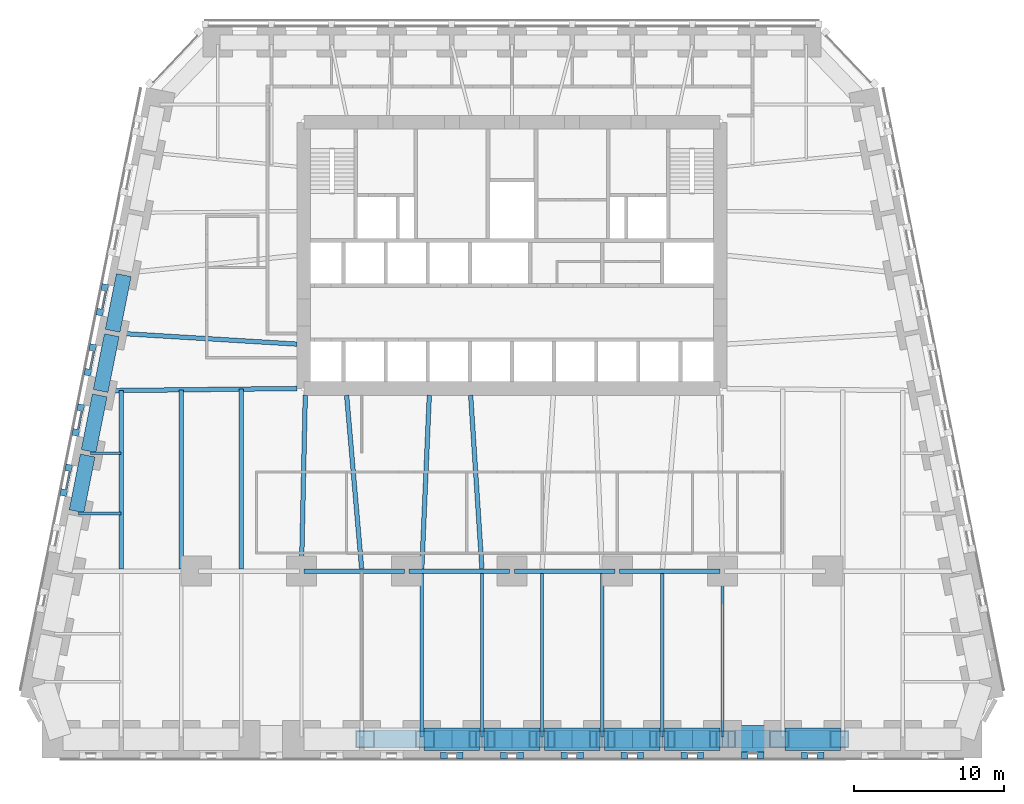
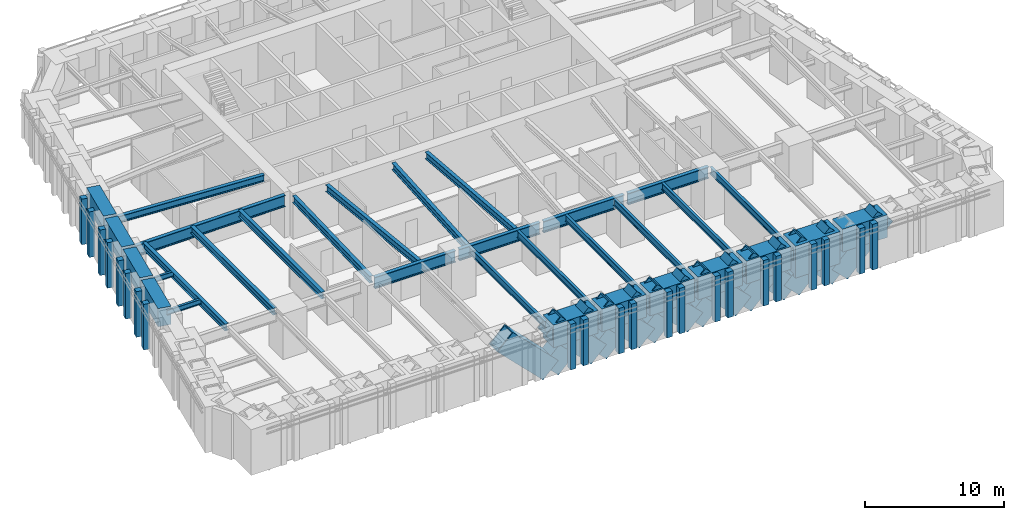
# One storey, part 2 of 16: 40 members, 32 beams, 11 elements without a shape of their own.
"""IFC4 building model written with IfcOpenShell, lengths in metres."""

from ifc_helpers import new_model, si_unit, direction, frame, origin, origin_2d, place, context, subcontext, project, spatial, rectangle, hollow_rectangle, i_section, extrude, material, material_profile, profile_set, type_object, element, aggregate, save


model = new_model("IFC4")

# Units and contexts
model_context = context("Model", 3, precision=1e-05, world=origin(), true_north=direction((0.0, 1.0)))
body_context = subcontext(model_context, "Body", "Model", "MODEL_VIEW")
ifc_project = project(units=[si_unit("LENGTHUNIT", "METRE"), si_unit("AREAUNIT", "SQUARE_METRE"), si_unit("VOLUMEUNIT", "CUBIC_METRE"), si_unit("PLANEANGLEUNIT", "RADIAN"), si_unit("MASSUNIT", "GRAM", prefix="KILO")], contexts=[model_context])

# Site, building, storey
site_placement = place(None, origin())
site = spatial("IfcSite", under=ifc_project, at=site_placement, CompositionType="ELEMENT")
building_placement = place(site_placement, origin())
building = spatial("IfcBuilding", under=site, at=building_placement, Name="Isbrekke Arena Tower", CompositionType="ELEMENT")
storey_placement = place(building_placement, frame((0.0, 0.0, 32.0)))
storey = spatial("IfcBuildingStorey", under=building, at=storey_placement, Name="L05", CompositionType="ELEMENT", Elevation=32.0)

# Beams
ifc_material_1 = material(Name="Steel S355", Category="steel")
ifc_material_profile_1 = material_profile(ifc_material_1, i_section(OverallWidth=0.219970703125, OverallDepth=0.60009765625, WebThickness=0.011962890625, FlangeThickness=0.01904296875, FilletRadius=0.02392578125, at=origin_2d()), Name="IPE 600")
ifc_profile_set_1 = profile_set([ifc_material_profile_1], Name="Steel S355")
beam_type_1 = type_object("IfcBeamType", Name="B1 IPE 600", PredefinedType="BEAM", material=ifc_profile_set_1)
for number, where, z_axis, x_axis, name in (
    (1, (-6.0, -17.02490234375, 3.550048828125), (0.0, 1.0, 0.0), (-1.0, 0.0, 0.0), "B1 beam S-S07 L05"),
    (2, (-2.0, -17.02490234375, 3.550048828125), (0.0, 1.0, 0.0), (-1.0, 0.0, 0.0), "B1 beam S-S08 L05"),
    (3, (2.0, -17.02490234375, 3.550048828125), (0.0, 1.0, 0.0), (-1.0, 0.0, 0.0), "B1 beam S-S09 L05"),
    (4, (6.0, -17.02490234375, 3.550048828125), (0.0, 1.0, 0.0), (-1.0, 0.0, 0.0), "B1 beam S-S10 L05"),
    (5, (10.0, -17.02490234375, 3.550048828125), (0.0, 1.0, 0.0), (-1.0, 0.0, 0.0), "B1 beam S-S11 L05"),
):
    element("IfcBeam", number, at=place(storey_placement, frame(where, z_axis=z_axis, x_axis=x_axis)), inside=storey, type_object=beam_type_1, Name=name, PredefinedType="BEAM", context=body_context, shape_type="SweptSolid", body=[
        extrude(i_section(OverallWidth=0.219970703125, OverallDepth=0.60009765625, WebThickness=0.011962890625, FlangeThickness=0.01904296875, FilletRadius=0.02392578125, at=origin_2d()), origin(), (0.0, 0.0, 1.0), 10.8740234375),
    ])
beam_1_placement = place(storey_placement, frame((14.0, -17.02490234375, 3.550048828125), z_axis=(0.0, 1.0, 0.0), x_axis=(-1.0, 0.0, 0.0)))
element("IfcBeam", 6, at=beam_1_placement, inside=storey, type_object=beam_type_1, Name="B1 beam S-S12 L05", PredefinedType="BEAM", context=body_context, shape_type="SweptSolid", body=[
    extrude(i_section(OverallWidth=0.219970703125, OverallDepth=0.60009765625, WebThickness=0.011962890625, FlangeThickness=0.01904296875, FilletRadius=0.02392578125, at=origin_2d()), origin(), (0.0, 0.0, 1.0), 10.875),
])
ifc_material_2 = material(Name="Steel S355", Category="steel")
ifc_material_profile_2 = material_profile(ifc_material_2, i_section(OverallWidth=0.18994140625, OverallDepth=0.449951171875, WebThickness=0.009521484375, FlangeThickness=0.0146484375, FilletRadius=0.02099609375, at=origin_2d()), Name="IPE 450")
ifc_profile_set_2 = profile_set([ifc_material_profile_2], Name="Steel S355")
beam_type_2 = type_object("IfcBeamType", Name="B2 IPE 450", PredefinedType="BEAM", material=ifc_profile_set_2)
beam_2_placement = place(storey_placement, frame((-28.041015625, 1.838134765625, 3.625), z_axis=(1.0, 0.0, 0.0), x_axis=(0.0, 1.0, 0.0)))
element("IfcBeam", 7, at=beam_2_placement, inside=storey, type_object=beam_type_2, Name="B2 beam E-W07 L05", PredefinedType="BEAM", context=body_context, shape_type="SweptSolid", body=[
    extrude(i_section(OverallWidth=0.18994140625, OverallDepth=0.449951171875, WebThickness=0.009521484375, FlangeThickness=0.0146484375, FilletRadius=0.02099609375, at=origin_2d()), origin(), (0.0, 0.0, 1.0), 2.041015625),
])
beam_3_placement = place(storey_placement, frame((-28.841064453125, -2.161865234375, 3.625), z_axis=(1.0, 0.0, 0.0), x_axis=(0.0, 1.0, 0.0)))
element("IfcBeam", 8, at=beam_3_placement, inside=storey, type_object=beam_type_2, Name="B2 beam E-W08 L05", PredefinedType="BEAM", context=body_context, shape_type="SweptSolid", body=[
    extrude(i_section(OverallWidth=0.18994140625, OverallDepth=0.449951171875, WebThickness=0.009521484375, FlangeThickness=0.0146484375, FilletRadius=0.02099609375, at=origin_2d()), origin(), (0.0, 0.0, 1.0), 2.841064453125),
])
ifc_material_3 = material(Name="Steel S355", Category="steel")
ifc_material_profile_3 = material_profile(ifc_material_3, i_section(OverallWidth=0.300048828125, OverallDepth=0.60009765625, WebThickness=0.015380859375, FlangeThickness=0.030029296875, FilletRadius=0.027099609375, at=origin_2d()), Name="HEB 600")
ifc_profile_set_3 = profile_set([ifc_material_profile_3], Name="Steel S355")
beam_type_3 = type_object("IfcBeamType", Name="B7 HEB 600", PredefinedType="BEAM", material=ifc_profile_set_3)
beam_4_placement = place(storey_placement, frame((-26.0, -5.84912109375, 3.550048828125), z_axis=(0.0, 1.0, 0.0), x_axis=(-1.0, 0.0, 0.0)))
element("IfcBeam", 9, at=beam_4_placement, inside=storey, type_object=beam_type_3, Name="B7 beam C-M01 L05", PredefinedType="BEAM", context=body_context, shape_type="SweptSolid", body=[
    extrude(i_section(OverallWidth=0.300048828125, OverallDepth=0.60009765625, WebThickness=0.015380859375, FlangeThickness=0.030029296875, FilletRadius=0.027099609375, at=origin_2d()), origin(), (0.0, 0.0, 1.0), 11.864990234375),
])
beam_5_placement = place(storey_placement, frame((-22.0, -5.84912109375, 3.550048828125), z_axis=(0.0, 1.0, 0.0), x_axis=(-1.0, 0.0, 0.0)))
element("IfcBeam", 10, at=beam_5_placement, inside=storey, type_object=beam_type_3, Name="B7 beam C-M02 L05", PredefinedType="BEAM", context=body_context, shape_type="SweptSolid", body=[
    extrude(i_section(OverallWidth=0.300048828125, OverallDepth=0.60009765625, WebThickness=0.015380859375, FlangeThickness=0.030029296875, FilletRadius=0.027099609375, at=origin_2d()), origin(), (0.0, 0.0, 1.0), 11.910888671875),
])
beam_6_placement = place(storey_placement, frame((-18.0, -5.84912109375, 3.550048828125), z_axis=(0.0, 1.0, 0.0), x_axis=(-1.0, 0.0, 0.0)))
element("IfcBeam", 11, at=beam_6_placement, inside=storey, type_object=beam_type_3, Name="B7 beam C-M03 L05", PredefinedType="BEAM", context=body_context, shape_type="SweptSolid", body=[
    extrude(i_section(OverallWidth=0.300048828125, OverallDepth=0.60009765625, WebThickness=0.015380859375, FlangeThickness=0.030029296875, FilletRadius=0.027099609375, at=origin_2d()), origin(), (0.0, 0.0, 1.0), 11.956787109375),
])
beam_7_placement = place(storey_placement, frame((-14.0, -5.8466796875, 3.550048828125), z_axis=(0.021646264273, 0.999765692171, 0.0), x_axis=(-0.999765692171, 0.021646264273, 0.0)))
element("IfcBeam", 12, at=beam_7_placement, inside=storey, type_object=beam_type_3, Name="B7 beam C-M04 L05", PredefinedType="BEAM", context=body_context, shape_type="SweptSolid", body=[
    extrude(i_section(OverallWidth=0.300048828125, OverallDepth=0.60009765625, WebThickness=0.015380859375, FlangeThickness=0.030029296875, FilletRadius=0.027099609375, at=origin_2d()), origin(), (0.0, 0.0, 1.0), 11.54931640625),
])
beam_8_placement = place(storey_placement, frame((-10.001220703125, -5.836181640625, 3.550048828125), z_axis=(-0.086255671377, 0.996273034442, 0.0), x_axis=(-0.996273034442, -0.086255671377, 0.0)))
element("IfcBeam", 13, at=beam_8_placement, inside=storey, type_object=beam_type_3, Name="B7 beam C-M05 L05", PredefinedType="BEAM", context=body_context, shape_type="SweptSolid", body=[
    extrude(i_section(OverallWidth=0.300048828125, OverallDepth=0.60009765625, WebThickness=0.015380859375, FlangeThickness=0.030029296875, FilletRadius=0.027099609375, at=origin_2d()), origin(), (0.0, 0.0, 1.0), 11.579345703125),
])
beam_9_placement = place(storey_placement, frame((-5.999755859375, -5.842529296875, 3.550048828125), z_axis=(0.04325656756, 0.99906399663, 0.0), x_axis=(-0.99906399663, 0.04325656756, 0.0)))
element("IfcBeam", 14, at=beam_9_placement, inside=storey, type_object=beam_type_3, Name="B7 beam C-M06 L05", PredefinedType="BEAM", context=body_context, shape_type="SweptSolid", body=[
    extrude(i_section(OverallWidth=0.300048828125, OverallDepth=0.60009765625, WebThickness=0.015380859375, FlangeThickness=0.030029296875, FilletRadius=0.027099609375, at=origin_2d()), origin(), (0.0, 0.0, 1.0), 11.55322265625),
])
beam_10_placement = place(storey_placement, frame((-2.000732421875, -5.83935546875, 3.550048828125), z_axis=(-0.064795318476, 0.997898575359, 0.0), x_axis=(-0.997898575359, -0.064795318476, 0.0)))
element("IfcBeam", 15, at=beam_10_placement, inside=storey, type_object=beam_type_3, Name="B7 beam C-M07 L05", PredefinedType="BEAM", context=body_context, shape_type="SweptSolid", body=[
    extrude(i_section(OverallWidth=0.300048828125, OverallDepth=0.60009765625, WebThickness=0.015380859375, FlangeThickness=0.030029296875, FilletRadius=0.027099609375, at=origin_2d()), origin(), (0.0, 0.0, 1.0), 11.563720703125),
])
beam_11_placement = place(storey_placement, frame((-26.431884765625, 9.837646484375, 3.550048828125), z_axis=(0.998157121592, -0.060682457223, 0.0), x_axis=(0.060682457223, 0.998157121592, 0.0)))
element("IfcBeam", 16, at=beam_11_placement, inside=storey, type_object=beam_type_3, Name="B7 beam E-W05 L05", PredefinedType="BEAM", context=body_context, shape_type="SweptSolid", body=[
    extrude(i_section(OverallWidth=0.300048828125, OverallDepth=0.60009765625, WebThickness=0.015380859375, FlangeThickness=0.030029296875, FilletRadius=0.027099609375, at=origin_2d()), origin(), (0.0, 0.0, 1.0), 12.154296875),
])

# Curtain wall, members
ifc_material_4 = material(Name="Glazed aluminium curtain wall", Category="aluminium")
curtain_wall_type = type_object("IfcCurtainWallType", Name="CWL TOWER CURTAIN WALL LOW ZONE", PredefinedType="USERDEFINED", material=ifc_material_4)
curtain_wall_1_placement = place(storey_placement, origin())
curtain_wall_1 = element("IfcCurtainWall", 17, at=curtain_wall_1_placement, inside=storey, type_object=curtain_wall_type, Name="CWL curtain wall L05-S13", ObjectType="TOWER CURTAIN WALL LOW ZONE", PredefinedType="USERDEFINED")
ifc_material_5 = material(Name="Aluminium mullion, pale brick slip cladding", Category="masonry")
ifc_material_profile_4 = material_profile(ifc_material_5, rectangle(XDim=0.449951171875, YDim=0.449951171875, at=origin_2d()), Name="PIER 450X450")
ifc_profile_set_4 = profile_set([ifc_material_profile_4], Name="Aluminium mullion, pale brick slip cladding")
member_type_1 = type_object("IfcMemberType", Name="CWL-M PIER MULLION 450 x 450", PredefinedType="MULLION", material=ifc_profile_set_4)
member_1_placement = place(storey_placement, frame((-4.52490234375, -18.25, 0.0), z_axis=(0.0, 0.0, 1.0), x_axis=(1.0, 0.0, 0.0)))
member_1 = element("IfcMember", 18, at=member_1_placement, type_object=member_type_1, Name="CWL-M mullion 1", PredefinedType="MULLION", context=body_context, shape_type="SweptSolid", body=[
    extrude(rectangle(XDim=0.449951171875, YDim=0.449951171875, at=origin_2d()), origin(), (0.0, 0.0, 1.0), 4.0),
])
member_2_placement = place(storey_placement, frame((-3.47509765625, -18.25, 0.0), z_axis=(0.0, 0.0, 1.0), x_axis=(1.0, 0.0, 0.0)))
member_2 = element("IfcMember", 19, at=member_2_placement, type_object=member_type_1, Name="CWL-M mullion 2", PredefinedType="MULLION", context=body_context, shape_type="SweptSolid", body=[
    extrude(rectangle(XDim=0.449951171875, YDim=0.449951171875, at=origin_2d()), origin(), (0.0, 0.0, 1.0), 4.0),
])
aggregate(curtain_wall_1, [member_1, member_2])

curtain_wall_2_placement = place(storey_placement, origin())
curtain_wall_2 = element("IfcCurtainWall", 20, at=curtain_wall_2_placement, inside=storey, type_object=curtain_wall_type, Name="CWL curtain wall L05-S15", ObjectType="TOWER CURTAIN WALL LOW ZONE", PredefinedType="USERDEFINED")
member_3_placement = place(storey_placement, frame((-0.52490234375, -18.25, 0.0), z_axis=(0.0, 0.0, 1.0), x_axis=(1.0, 0.0, 0.0)))
member_3 = element("IfcMember", 21, at=member_3_placement, type_object=member_type_1, Name="CWL-M mullion 1", PredefinedType="MULLION", context=body_context, shape_type="SweptSolid", body=[
    extrude(rectangle(XDim=0.449951171875, YDim=0.449951171875, at=origin_2d()), origin(), (0.0, 0.0, 1.0), 4.0),
])
member_4_placement = place(storey_placement, frame((0.52490234375, -18.25, 0.0), z_axis=(0.0, 0.0, 1.0), x_axis=(1.0, 0.0, 0.0)))
member_4 = element("IfcMember", 22, at=member_4_placement, type_object=member_type_1, Name="CWL-M mullion 2", PredefinedType="MULLION", context=body_context, shape_type="SweptSolid", body=[
    extrude(rectangle(XDim=0.449951171875, YDim=0.449951171875, at=origin_2d()), origin(), (0.0, 0.0, 1.0), 4.0),
])
aggregate(curtain_wall_2, [member_3, member_4])

curtain_wall_3_placement = place(storey_placement, origin())
curtain_wall_3 = element("IfcCurtainWall", 23, at=curtain_wall_3_placement, inside=storey, type_object=curtain_wall_type, Name="CWL curtain wall L05-S17", ObjectType="TOWER CURTAIN WALL LOW ZONE", PredefinedType="USERDEFINED")
member_5_placement = place(storey_placement, frame((3.47509765625, -18.25, 0.0), z_axis=(0.0, 0.0, 1.0), x_axis=(1.0, 0.0, 0.0)))
member_5 = element("IfcMember", 24, at=member_5_placement, type_object=member_type_1, Name="CWL-M mullion 1", PredefinedType="MULLION", context=body_context, shape_type="SweptSolid", body=[
    extrude(rectangle(XDim=0.449951171875, YDim=0.449951171875, at=origin_2d()), origin(), (0.0, 0.0, 1.0), 4.0),
])
member_6_placement = place(storey_placement, frame((4.52490234375, -18.25, 0.0), z_axis=(0.0, 0.0, 1.0), x_axis=(1.0, 0.0, 0.0)))
member_6 = element("IfcMember", 25, at=member_6_placement, type_object=member_type_1, Name="CWL-M mullion 2", PredefinedType="MULLION", context=body_context, shape_type="SweptSolid", body=[
    extrude(rectangle(XDim=0.449951171875, YDim=0.449951171875, at=origin_2d()), origin(), (0.0, 0.0, 1.0), 4.0),
])
aggregate(curtain_wall_3, [member_5, member_6])

curtain_wall_4_placement = place(storey_placement, origin())
curtain_wall_4 = element("IfcCurtainWall", 26, at=curtain_wall_4_placement, inside=storey, type_object=curtain_wall_type, Name="CWL curtain wall L05-S19", ObjectType="TOWER CURTAIN WALL LOW ZONE", PredefinedType="USERDEFINED")
member_7_placement = place(storey_placement, frame((7.47509765625, -18.25, 0.0), z_axis=(0.0, 0.0, 1.0), x_axis=(1.0, 0.0, 0.0)))
member_7 = element("IfcMember", 27, at=member_7_placement, type_object=member_type_1, Name="CWL-M mullion 1", PredefinedType="MULLION", context=body_context, shape_type="SweptSolid", body=[
    extrude(rectangle(XDim=0.449951171875, YDim=0.449951171875, at=origin_2d()), origin(), (0.0, 0.0, 1.0), 4.0),
])
member_8_placement = place(storey_placement, frame((8.52490234375, -18.25, 0.0), z_axis=(0.0, 0.0, 1.0), x_axis=(1.0, 0.0, 0.0)))
member_8 = element("IfcMember", 28, at=member_8_placement, type_object=member_type_1, Name="CWL-M mullion 2", PredefinedType="MULLION", context=body_context, shape_type="SweptSolid", body=[
    extrude(rectangle(XDim=0.449951171875, YDim=0.449951171875, at=origin_2d()), origin(), (0.0, 0.0, 1.0), 4.0),
])
aggregate(curtain_wall_4, [member_7, member_8])

curtain_wall_5_placement = place(storey_placement, origin())
curtain_wall_5 = element("IfcCurtainWall", 29, at=curtain_wall_5_placement, inside=storey, type_object=curtain_wall_type, Name="CWL curtain wall L05-S21", ObjectType="TOWER CURTAIN WALL LOW ZONE", PredefinedType="USERDEFINED")
member_9_placement = place(storey_placement, frame((11.47509765625, -18.25, 0.0), z_axis=(0.0, 0.0, 1.0), x_axis=(1.0, 0.0, 0.0)))
member_9 = element("IfcMember", 30, at=member_9_placement, type_object=member_type_1, Name="CWL-M mullion 1", PredefinedType="MULLION", context=body_context, shape_type="SweptSolid", body=[
    extrude(rectangle(XDim=0.449951171875, YDim=0.449951171875, at=origin_2d()), origin(), (0.0, 0.0, 1.0), 4.0),
])
member_10_placement = place(storey_placement, frame((12.52490234375, -18.25, 0.0), z_axis=(0.0, 0.0, 1.0), x_axis=(1.0, 0.0, 0.0)))
member_10 = element("IfcMember", 31, at=member_10_placement, type_object=member_type_1, Name="CWL-M mullion 2", PredefinedType="MULLION", context=body_context, shape_type="SweptSolid", body=[
    extrude(rectangle(XDim=0.449951171875, YDim=0.449951171875, at=origin_2d()), origin(), (0.0, 0.0, 1.0), 4.0),
])
aggregate(curtain_wall_5, [member_9, member_10])

curtain_wall_6_placement = place(storey_placement, origin())
curtain_wall_6 = element("IfcCurtainWall", 32, at=curtain_wall_6_placement, inside=storey, type_object=curtain_wall_type, Name="CWL curtain wall L05-S23", ObjectType="TOWER CURTAIN WALL LOW ZONE", PredefinedType="USERDEFINED")
member_11_placement = place(storey_placement, frame((15.47509765625, -18.25, 0.0), z_axis=(0.0, 0.0, 1.0), x_axis=(1.0, 0.0, 0.0)))
member_11 = element("IfcMember", 33, at=member_11_placement, type_object=member_type_1, Name="CWL-M mullion 1", PredefinedType="MULLION", context=body_context, shape_type="SweptSolid", body=[
    extrude(rectangle(XDim=0.449951171875, YDim=0.449951171875, at=origin_2d()), origin(), (0.0, 0.0, 1.0), 4.0),
])
member_12_placement = place(storey_placement, frame((16.52490234375, -18.25, 0.0), z_axis=(0.0, 0.0, 1.0), x_axis=(1.0, 0.0, 0.0)))
member_12 = element("IfcMember", 34, at=member_12_placement, type_object=member_type_1, Name="CWL-M mullion 2", PredefinedType="MULLION", context=body_context, shape_type="SweptSolid", body=[
    extrude(rectangle(XDim=0.449951171875, YDim=0.449951171875, at=origin_2d()), origin(), (0.0, 0.0, 1.0), 4.0),
])
aggregate(curtain_wall_6, [member_11, member_12])

curtain_wall_7_placement = place(storey_placement, origin())
curtain_wall_7 = element("IfcCurtainWall", 35, at=curtain_wall_7_placement, inside=storey, type_object=curtain_wall_type, Name="CWL curtain wall L05-S25", ObjectType="TOWER CURTAIN WALL LOW ZONE", PredefinedType="USERDEFINED")
member_13_placement = place(storey_placement, frame((19.47509765625, -18.25, 0.0), z_axis=(0.0, 0.0, 1.0), x_axis=(1.0, 0.0, 0.0)))
member_13 = element("IfcMember", 36, at=member_13_placement, type_object=member_type_1, Name="CWL-M mullion 1", PredefinedType="MULLION", context=body_context, shape_type="SweptSolid", body=[
    extrude(rectangle(XDim=0.449951171875, YDim=0.449951171875, at=origin_2d()), origin(), (0.0, 0.0, 1.0), 4.0),
])
member_14_placement = place(storey_placement, frame((20.52490234375, -18.25, 0.0), z_axis=(0.0, 0.0, 1.0), x_axis=(1.0, 0.0, 0.0)))
member_14 = element("IfcMember", 37, at=member_14_placement, type_object=member_type_1, Name="CWL-M mullion 2", PredefinedType="MULLION", context=body_context, shape_type="SweptSolid", body=[
    extrude(rectangle(XDim=0.449951171875, YDim=0.449951171875, at=origin_2d()), origin(), (0.0, 0.0, 1.0), 4.0),
])
aggregate(curtain_wall_7, [member_13, member_14])

curtain_wall_8_placement = place(storey_placement, origin())
curtain_wall_8 = element("IfcCurtainWall", 38, at=curtain_wall_8_placement, inside=storey, type_object=curtain_wall_type, Name="CWL curtain wall L05-W7", ObjectType="TOWER CURTAIN WALL LOW ZONE", PredefinedType="USERDEFINED")
member_15_placement = place(storey_placement, frame((-27.08056640625, 12.872314453125, 0.0), z_axis=(0.0, 0.0, 1.0), x_axis=(-0.196116135138, -0.980580675691, 0.0)))
member_15 = element("IfcMember", 39, at=member_15_placement, type_object=member_type_1, Name="CWL-M mullion 1", PredefinedType="MULLION", context=body_context, shape_type="SweptSolid", body=[
    extrude(rectangle(XDim=0.449951171875, YDim=0.449951171875, at=origin_2d()), origin(), (0.0, 0.0, 1.0), 4.0),
])
member_16_placement = place(storey_placement, frame((-27.409912109375, 11.225830078125, 0.0), z_axis=(0.0, 0.0, 1.0), x_axis=(-0.196116135138, -0.980580675691, 0.0)))
member_16 = element("IfcMember", 40, at=member_16_placement, type_object=member_type_1, Name="CWL-M mullion 2", PredefinedType="MULLION", context=body_context, shape_type="SweptSolid", body=[
    extrude(rectangle(XDim=0.449951171875, YDim=0.449951171875, at=origin_2d()), origin(), (0.0, 0.0, 1.0), 4.0),
])

curtain_wall_9_placement = place(storey_placement, origin())
curtain_wall_9 = element("IfcCurtainWall", 41, at=curtain_wall_9_placement, inside=storey, type_object=curtain_wall_type, Name="CWL curtain wall L05-W9", ObjectType="TOWER CURTAIN WALL LOW ZONE", PredefinedType="USERDEFINED")
member_17_placement = place(storey_placement, frame((-27.88037109375, 8.872314453125, 0.0), z_axis=(0.0, 0.0, 1.0), x_axis=(-0.196116135138, -0.980580675691, 0.0)))
member_17 = element("IfcMember", 42, at=member_17_placement, type_object=member_type_1, Name="CWL-M mullion 1", PredefinedType="MULLION", context=body_context, shape_type="SweptSolid", body=[
    extrude(rectangle(XDim=0.449951171875, YDim=0.449951171875, at=origin_2d()), origin(), (0.0, 0.0, 1.0), 4.0),
])
member_18_placement = place(storey_placement, frame((-28.209716796875, 7.225830078125, 0.0), z_axis=(0.0, 0.0, 1.0), x_axis=(-0.196116135138, -0.980580675691, 0.0)))
member_18 = element("IfcMember", 43, at=member_18_placement, type_object=member_type_1, Name="CWL-M mullion 2", PredefinedType="MULLION", context=body_context, shape_type="SweptSolid", body=[
    extrude(rectangle(XDim=0.449951171875, YDim=0.449951171875, at=origin_2d()), origin(), (0.0, 0.0, 1.0), 4.0),
])

curtain_wall_10_placement = place(storey_placement, origin())
curtain_wall_10 = element("IfcCurtainWall", 44, at=curtain_wall_10_placement, inside=storey, type_object=curtain_wall_type, Name="CWL curtain wall L05-W11", ObjectType="TOWER CURTAIN WALL LOW ZONE", PredefinedType="USERDEFINED")
member_19_placement = place(storey_placement, frame((-28.680419921875, 4.872314453125, 0.0), z_axis=(0.0, 0.0, 1.0), x_axis=(-0.196116135138, -0.980580675691, 0.0)))
member_19 = element("IfcMember", 45, at=member_19_placement, type_object=member_type_1, Name="CWL-M mullion 1", PredefinedType="MULLION", context=body_context, shape_type="SweptSolid", body=[
    extrude(rectangle(XDim=0.449951171875, YDim=0.449951171875, at=origin_2d()), origin(), (0.0, 0.0, 1.0), 4.0),
])
member_20_placement = place(storey_placement, frame((-29.009765625, 3.225830078125, 0.0), z_axis=(0.0, 0.0, 1.0), x_axis=(-0.196116135138, -0.980580675691, 0.0)))
member_20 = element("IfcMember", 46, at=member_20_placement, type_object=member_type_1, Name="CWL-M mullion 2", PredefinedType="MULLION", context=body_context, shape_type="SweptSolid", body=[
    extrude(rectangle(XDim=0.449951171875, YDim=0.449951171875, at=origin_2d()), origin(), (0.0, 0.0, 1.0), 4.0),
])

curtain_wall_11_placement = place(storey_placement, origin())
curtain_wall_11 = element("IfcCurtainWall", 47, at=curtain_wall_11_placement, inside=storey, type_object=curtain_wall_type, Name="CWL curtain wall L05-W13", ObjectType="TOWER CURTAIN WALL LOW ZONE", PredefinedType="USERDEFINED")
member_21_placement = place(storey_placement, frame((-29.48046875, 0.872314453125, 0.0), z_axis=(0.0, 0.0, 1.0), x_axis=(-0.196116135138, -0.980580675691, 0.0)))
member_21 = element("IfcMember", 48, at=member_21_placement, type_object=member_type_1, Name="CWL-M mullion 1", PredefinedType="MULLION", context=body_context, shape_type="SweptSolid", body=[
    extrude(rectangle(XDim=0.449951171875, YDim=0.449951171875, at=origin_2d()), origin(), (0.0, 0.0, 1.0), 4.0),
])
member_22_placement = place(storey_placement, frame((-29.809814453125, -0.774169921875, 0.0), z_axis=(0.0, 0.0, 1.0), x_axis=(-0.196116135138, -0.980580675691, 0.0)))
member_22 = element("IfcMember", 49, at=member_22_placement, type_object=member_type_1, Name="CWL-M mullion 2", PredefinedType="MULLION", context=body_context, shape_type="SweptSolid", body=[
    extrude(rectangle(XDim=0.449951171875, YDim=0.449951171875, at=origin_2d()), origin(), (0.0, 0.0, 1.0), 4.0),
])

# Member
ifc_material_6 = material(Name="Aluminium transom", Category="aluminium")
ifc_material_profile_5 = material_profile(ifc_material_6, rectangle(XDim=0.1201171875, YDim=0.199951171875, at=origin_2d()), Name="TRANSOM 120X200")
ifc_profile_set_5 = profile_set([ifc_material_profile_5], Name="Aluminium transom")
member_type_2 = type_object("IfcMemberType", Name="CWL-T TRANSOM 120 x 200", PredefinedType="USERDEFINED", material=ifc_profile_set_5)
member_23_placement = place(storey_placement, frame((-27.001953125, 12.627197265625, 3.0), z_axis=(-0.19623071885, -0.980557751986, 0.0), x_axis=(0.980557751986, -0.19623071885, 0.0)))
member_23 = element("IfcMember", 50, at=member_23_placement, type_object=member_type_2, Name="CWL-T transom 1", ObjectType="TRANSOM", PredefinedType="USERDEFINED", context=body_context, shape_type="SweptSolid", body=[
    extrude(rectangle(XDim=0.1201171875, YDim=0.199951171875, at=origin_2d()), origin(), (0.0, 0.0, 1.0), 1.229248046875),
])

aggregate(curtain_wall_8, [member_15, member_16, member_23])

member_24_placement = place(storey_placement, frame((-27.802001953125, 8.627197265625, 3.0), z_axis=(-0.19623071885, -0.980557751986, 0.0), x_axis=(0.980557751986, -0.19623071885, 0.0)))
member_24 = element("IfcMember", 51, at=member_24_placement, type_object=member_type_2, Name="CWL-T transom 1", ObjectType="TRANSOM", PredefinedType="USERDEFINED", context=body_context, shape_type="SweptSolid", body=[
    extrude(rectangle(XDim=0.1201171875, YDim=0.199951171875, at=origin_2d()), origin(), (0.0, 0.0, 1.0), 1.229248046875),
])

aggregate(curtain_wall_9, [member_17, member_18, member_24])

member_25_placement = place(storey_placement, frame((-28.60205078125, 4.627197265625, 3.0), z_axis=(-0.196039741533, -0.980595951317, 0.0), x_axis=(0.980595951317, -0.196039741533, 0.0)))
member_25 = element("IfcMember", 52, at=member_25_placement, type_object=member_type_2, Name="CWL-T transom 1", ObjectType="TRANSOM", PredefinedType="USERDEFINED", context=body_context, shape_type="SweptSolid", body=[
    extrude(rectangle(XDim=0.1201171875, YDim=0.199951171875, at=origin_2d()), origin(), (0.0, 0.0, 1.0), 1.229248046875),
])

aggregate(curtain_wall_10, [member_19, member_20, member_25])

member_26_placement = place(storey_placement, frame((-29.402099609375, 0.627197265625, 3.0), z_axis=(-0.196039741533, -0.980595951317, 0.0), x_axis=(0.980595951317, -0.196039741533, 0.0)))
member_26 = element("IfcMember", 53, at=member_26_placement, type_object=member_type_2, Name="CWL-T transom 1", ObjectType="TRANSOM", PredefinedType="USERDEFINED", context=body_context, shape_type="SweptSolid", body=[
    extrude(rectangle(XDim=0.1201171875, YDim=0.199951171875, at=origin_2d()), origin(), (0.0, 0.0, 1.0), 1.229248046875),
])

aggregate(curtain_wall_11, [member_21, member_22, member_26])

# Beams
ifc_material_7 = material(Name="Steel S355", Category="steel")
ifc_material_profile_6 = material_profile(ifc_material_7, i_section(OverallWidth=0.302001953125, OverallDepth=1.008056640625, WebThickness=0.02099609375, FlangeThickness=0.0400390625, FilletRadius=0.030029296875, at=origin_2d()), Name="HEM 1000")
ifc_profile_set_6 = profile_set([ifc_material_profile_6], Name="Steel S355")
beam_type_4 = type_object("IfcBeamType", Name="G1 HEM 1000", PredefinedType="BEAM", material=ifc_profile_set_6)
for number, where, z_axis, x_axis, name in (
    (54, (-13.85009765625, -6.0, 3.345947265625), (1.0, 0.0, 0.0), (0.0, 1.0, 0.0), "G1 beam G1-03 L05"),
    (55, (-6.85009765625, -6.0, 3.345947265625), (1.0, 0.0, 0.0), (0.0, 1.0, 0.0), "G1 beam G1-04 L05"),
    (56, (0.14990234375, -6.0, 3.345947265625), (1.0, 0.0, 0.0), (0.0, 1.0, 0.0), "G1 beam G1-05 L05"),
    (57, (7.14990234375, -6.0, 3.345947265625), (1.0, 0.0, 0.0), (0.0, 1.0, 0.0), "G1 beam G1-06 L05"),
):
    element("IfcBeam", number, at=place(storey_placement, frame(where, z_axis=z_axis, x_axis=x_axis)), inside=storey, type_object=beam_type_4, Name=name, PredefinedType="BEAM", context=body_context, shape_type="SweptSolid", body=[
        extrude(i_section(OverallWidth=0.302001953125, OverallDepth=1.008056640625, WebThickness=0.02099609375, FlangeThickness=0.0400390625, FilletRadius=0.030029296875, at=origin_2d()), origin(), (0.0, 0.0, 1.0), 6.7001953125),
    ])
ifc_material_8 = material(Name="Steel S355", Category="steel")
ifc_material_profile_7 = material_profile(ifc_material_8, i_section(OverallWidth=0.302001953125, OverallDepth=1.008056640625, WebThickness=0.02099609375, FlangeThickness=0.0400390625, FilletRadius=0.030029296875, at=origin_2d()), Name="HEM 1000")
ifc_profile_set_7 = profile_set([ifc_material_profile_7], Name="Steel S355")
beam_type_5 = type_object("IfcBeamType", Name="G2 HEM 1000", PredefinedType="BEAM", material=ifc_profile_set_7)
beam_12_placement = place(storey_placement, frame((-14.300048828125, 6.14990234375, 3.345947265625), z_axis=(-0.999934429634, -0.011451481699, 0.0), x_axis=(0.011451481699, -0.999934429634, 0.0)))
element("IfcBeam", 58, at=beam_12_placement, inside=storey, type_object=beam_type_5, Name="G2 beam G2-W L05", PredefinedType="BEAM", context=body_context, shape_type="SweptSolid", body=[
    extrude(i_section(OverallWidth=0.302001953125, OverallDepth=1.008056640625, WebThickness=0.02099609375, FlangeThickness=0.0400390625, FilletRadius=0.030029296875, at=origin_2d()), origin(), (0.0, 0.0, 1.0), 13.09033203125),
])
ifc_material_9 = material(Name="Concrete B90 (C90/105)", Category="concrete")
ifc_material_profile_8 = material_profile(ifc_material_9, rectangle(XDim=1.0, YDim=1.60009765625, at=origin_2d()), Name="RC 1000x1600")
ifc_profile_set_8 = profile_set([ifc_material_profile_8], Name="Concrete B90 (C90/105)")
beam_type_6 = type_object("IfcBeamType", Name="SB1 RC 1000 x 1600", PredefinedType="SPANDREL", material=ifc_profile_set_8)
beam_13_placement = place(storey_placement, frame((-25.820556640625, 13.691162109375, 3.199951171875), z_axis=(-0.1960664412, -0.980590613169, 0.0), x_axis=(0.980590613169, -0.1960664412, 0.0)))
element("IfcBeam", 59, at=beam_13_placement, inside=storey, type_object=beam_type_6, Name="SB1 spandrel W04-W05 L05", PredefinedType="SPANDREL", context=body_context, shape_type="SweptSolid", body=[
    extrude(rectangle(XDim=1.0, YDim=1.60009765625, at=origin_2d()), origin(), (0.0, 0.0, 1.0), 3.779052734375),
])
for number, where, z_axis, x_axis, name in (
    (60, (-26.620361328125, 9.691162109375, 3.199951171875), (-0.196128558387, -0.980578190959, 0.0), (0.980578190959, -0.196128558387, 0.0), "SB1 spandrel W05-W06 L05"),
    (61, (-27.42041015625, 5.691162109375, 3.199951171875), (-0.196128558387, -0.980578190959, 0.0), (0.980578190959, -0.196128558387, 0.0), "SB1 spandrel W06-W07 L05"),
    (62, (-28.220458984375, 1.691162109375, 3.199951171875), (-0.196128558387, -0.980578190959, 0.0), (0.980578190959, -0.196128558387, 0.0), "SB1 spandrel W07-W08 L05"),
):
    element("IfcBeam", number, at=place(storey_placement, frame(where, z_axis=z_axis, x_axis=x_axis)), inside=storey, type_object=beam_type_6, Name=name, PredefinedType="SPANDREL", context=body_context, shape_type="SweptSolid", body=[
        extrude(rectangle(XDim=1.0, YDim=1.60009765625, at=origin_2d()), origin(), (0.0, 0.0, 1.0), 3.779296875),
    ])
ifc_material_10 = material(Name="Concrete B90 (C90/105)", Category="concrete")
ifc_material_profile_9 = material_profile(ifc_material_10, rectangle(XDim=1.5, YDim=2.0, at=origin_2d()), Name="RC 1500x2000")
ifc_profile_set_9 = profile_set([ifc_material_profile_9], Name="Concrete B90 (C90/105)")
beam_type_7 = type_object("IfcBeamType", Name="SB6 RC 1500 x 2000", PredefinedType="SPANDREL", material=ifc_profile_set_9)
for number, where, z_axis, x_axis, name in (
    (63, (-5.85009765625, -17.175048828125, 3.0), (1.0, 0.0, 0.0), (0.0, 1.0, 0.0), "SB6 spandrel S07-S08 L05"),
    (64, (-1.85009765625, -17.175048828125, 3.0), (1.0, 0.0, 0.0), (0.0, 1.0, 0.0), "SB6 spandrel S08-S09 L05"),
    (65, (2.14990234375, -17.175048828125, 3.0), (1.0, 0.0, 0.0), (0.0, 1.0, 0.0), "SB6 spandrel S09-S10 L05"),
    (66, (6.14990234375, -17.175048828125, 3.0), (1.0, 0.0, 0.0), (0.0, 1.0, 0.0), "SB6 spandrel S10-S11 L05"),
    (67, (10.14990234375, -17.175048828125, 3.0), (1.0, 0.0, 0.0), (0.0, 1.0, 0.0), "SB6 spandrel S11-S12 L05"),
    (68, (18.14990234375, -17.175048828125, 3.0), (1.0, 0.0, 0.0), (0.0, 1.0, 0.0), "SB6 spandrel S13-S14 L05"),
):
    element("IfcBeam", number, at=place(storey_placement, frame(where, z_axis=z_axis, x_axis=x_axis)), inside=storey, type_object=beam_type_7, Name=name, PredefinedType="SPANDREL", context=body_context, shape_type="SweptSolid", body=[
        extrude(rectangle(XDim=1.5, YDim=2.0, at=origin_2d()), origin(), (0.0, 0.0, 1.0), 3.7001953125),
    ])
ifc_material_11 = material(Name="Concrete B90 (C90/105)", Category="concrete")
ifc_material_profile_10 = material_profile(ifc_material_11, rectangle(XDim=1.800048828125, YDim=2.800048828125, at=origin_2d()), Name="RC 1800x2800")
ifc_profile_set_10 = profile_set([ifc_material_profile_10], Name="Concrete B90 (C90/105)")
beam_type_8 = type_object("IfcBeamType", Name="SB7 RC 1800 x 2800", PredefinedType="SPANDREL", material=ifc_profile_set_10)
beam_14_placement = place(storey_placement, frame((14.14990234375, -17.175048828125, 2.60009765625), z_axis=(1.0, 0.0, 0.0), x_axis=(0.0, 1.0, 0.0)))
element("IfcBeam", 69, at=beam_14_placement, inside=storey, type_object=beam_type_8, Name="SB7 spandrel S12-S13 L05", PredefinedType="SPANDREL", context=body_context, shape_type="SweptSolid", body=[
    extrude(rectangle(XDim=1.800048828125, YDim=2.800048828125, at=origin_2d()), origin(), (0.0, 0.0, 1.0), 3.7001953125),
])

# Members
ifc_material_12 = material(Name="Steel S460", Category="steel")
ifc_material_profile_11 = material_profile(ifc_material_12, hollow_rectangle(XDim=1.199951171875, YDim=1.800048828125, WallThickness=0.090087890625, at=origin_2d()), Name="BOX 1200x1800x90")
ifc_profile_set_11 = profile_set([ifc_material_profile_11], Name="Steel S460")
member_type_3 = type_object("IfcMemberType", Name="TB1 BOX 1200x1800x90", PredefinedType="BRACE", material=ifc_profile_set_11)
for number, where, z_axis, x_axis, name in (
    (70, (-9.779296875, -17.175048828125, 3.779296875), (0.707106781187, 0.0, -0.707106781187), (0.0, 1.0, 0.0), "TB1 transfer brace S06-S07 L05 B"),
    (71, (-6.0, -17.175048828125, 0.0), (0.707106781187, 0.0, 0.707106781187), (0.0, 1.0, 0.0), "TB1 transfer brace S07-S08 L05 A"),
    (72, (-5.779296875, -17.175048828125, 3.779296875), (0.707106781187, 0.0, -0.707106781187), (0.0, 1.0, 0.0), "TB1 transfer brace S07-S08 L05 B"),
    (73, (-2.0, -17.175048828125, 0.0), (0.707106781187, 0.0, 0.707106781187), (0.0, 1.0, 0.0), "TB1 transfer brace S08-S09 L05 A"),
    (74, (-1.779296875, -17.175048828125, 3.779296875), (0.707106781187, 0.0, -0.707106781187), (0.0, 1.0, 0.0), "TB1 transfer brace S08-S09 L05 B"),
    (75, (2.0, -17.175048828125, 0.0), (0.707106781187, 0.0, 0.707106781187), (0.0, 1.0, 0.0), "TB1 transfer brace S09-S10 L05 A"),
    (76, (2.220703125, -17.175048828125, 3.779296875), (0.707106781187, 0.0, -0.707106781187), (0.0, 1.0, 0.0), "TB1 transfer brace S09-S10 L05 B"),
    (77, (6.0, -17.175048828125, 0.0), (0.707106781187, 0.0, 0.707106781187), (0.0, 1.0, 0.0), "TB1 transfer brace S10-S11 L05 A"),
    (78, (6.220703125, -17.175048828125, 3.779296875), (0.707106781187, 0.0, -0.707106781187), (0.0, 1.0, 0.0), "TB1 transfer brace S10-S11 L05 B"),
    (79, (10.0, -17.175048828125, 0.0), (0.707106781187, 0.0, 0.707106781187), (0.0, 1.0, 0.0), "TB1 transfer brace S11-S12 L05 A"),
    (80, (10.220703125, -17.175048828125, 3.779296875), (0.707106781187, 0.0, -0.707106781187), (0.0, 1.0, 0.0), "TB1 transfer brace S11-S12 L05 B"),
    (81, (14.0, -17.175048828125, 0.0), (0.707106781187, 0.0, 0.707106781187), (0.0, 1.0, 0.0), "TB1 transfer brace S12-S13 L05 A"),
    (82, (14.220703125, -17.175048828125, 3.779296875), (0.707106781187, 0.0, -0.707106781187), (0.0, 1.0, 0.0), "TB1 transfer brace S12-S13 L05 B"),
    (83, (18.0, -17.175048828125, 0.0), (0.707106781187, 0.0, 0.707106781187), (0.0, 1.0, 0.0), "TB1 transfer brace S13-S14 L05 A"),
):
    element("IfcMember", number, at=place(storey_placement, frame(where, z_axis=z_axis, x_axis=x_axis)), inside=storey, type_object=member_type_3, Name=name, PredefinedType="BRACE", context=body_context, shape_type="SweptSolid", body=[
        extrude(hollow_rectangle(XDim=1.199951171875, YDim=1.800048828125, WallThickness=0.090087890625, at=origin_2d()), origin(), (0.0, 0.0, 1.0), 5.3447265625),
    ])

save(model, "model.ifc")
